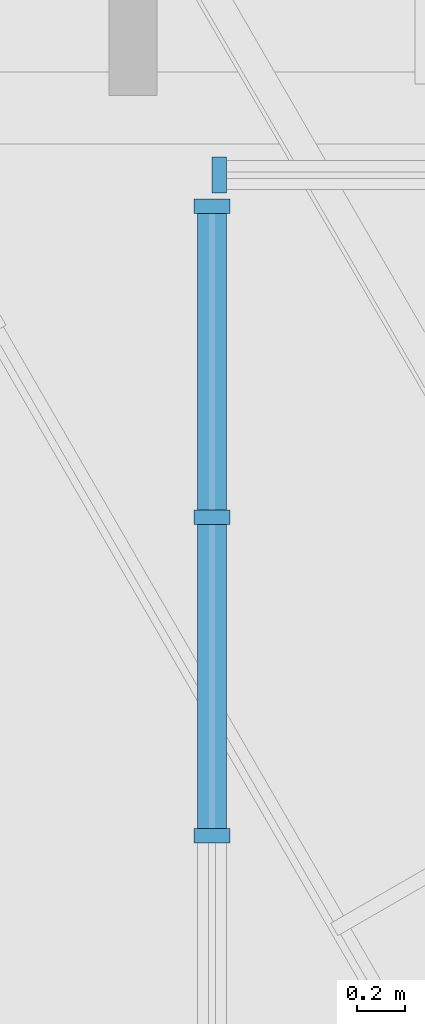
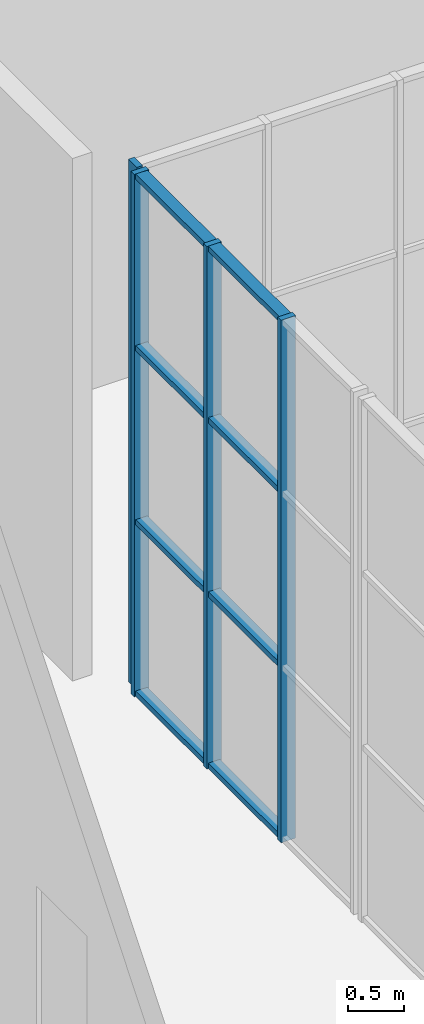
# One storey, part 10 of 36: 12 members, 2 elements without a shape of their own.
"""IFC4 building model written with IfcOpenShell, lengths in metres."""

from ifc_helpers import new_model, si_unit, direction, frame, origin, origin_2d, place, context, subcontext, project, spatial, rectangle, extrude, material, layer, layer_set, material_profile, profile_set, type_object, element, aggregate, save


model = new_model("IFC4")

# Units and contexts
model_context = context("Model", 3, precision=1e-05, world=origin(), true_north=direction((0.0, 1.0)))
body_context = subcontext(model_context, "Body", "Model", "MODEL_VIEW")
ifc_project = project(units=[si_unit("LENGTHUNIT", "METRE"), si_unit("AREAUNIT", "SQUARE_METRE"), si_unit("VOLUMEUNIT", "CUBIC_METRE"), si_unit("PLANEANGLEUNIT", "RADIAN"), si_unit("MASSUNIT", "GRAM", prefix="KILO")], contexts=[model_context])

# Site, building, storey
site_placement = place(None, origin())
site = spatial("IfcSite", under=ifc_project, at=site_placement, CompositionType="ELEMENT")
building_placement = place(site_placement, origin())
building = spatial("IfcBuilding", under=site, at=building_placement, Name="Njiva Tower", CompositionType="ELEMENT")
storey_placement = place(building_placement, frame((0.0, 0.0, 337.8)))
storey = spatial("IfcBuildingStorey", under=building, at=storey_placement, Name="L77", CompositionType="ELEMENT", Elevation=337.8)

# Curtain wall, member
ifc_material_1 = material(Name="Glazed curtain wall", Category="glass")
ifc_layer = layer(ifc_material_1, 0.2)
ifc_layer_set = layer_set([ifc_layer], Name="Glazed curtain wall")
curtain_wall_type = type_object("IfcCurtainWallType", Name="CW5 Atrium lantern glazing", PredefinedType="NOTDEFINED", material=ifc_layer_set)
curtain_wall_1_placement = place(storey_placement, origin())
curtain_wall_1 = element("IfcCurtainWall", 1, at=curtain_wall_1_placement, inside=storey, type_object=curtain_wall_type, Name="Atrium lantern north 1", PredefinedType="NOTDEFINED")
ifc_material_2 = material(Name="Aluminium mullion", Category="aluminium")
ifc_material_profile_1 = material_profile(ifc_material_2, rectangle(XDim=0.15, YDim=0.06, at=origin_2d()), Name="RECT 150x60")
ifc_profile_set_1 = profile_set([ifc_material_profile_1], Name="Aluminium mullion")
member_type_1 = type_object("IfcMemberType", Name="CW5-M Lantern mullion 150x60", PredefinedType="MULLION", material=ifc_profile_set_1)
member_1_placement = place(storey_placement, frame((-4.09, -3.48, 0.0), z_axis=(0.0, 0.0, 1.0), x_axis=(0.0, 1.0, 0.0)))
member_1 = element("IfcMember", 2, at=member_1_placement, type_object=member_type_1, Name="CW5-3 mullion 1", PredefinedType="MULLION", context=body_context, shape_type="SweptSolid", body=[
    extrude(rectangle(XDim=0.15, YDim=0.06, at=origin_2d()), origin(), (0.0, 0.0, 1.0), 5.7),
])
aggregate(curtain_wall_1, [member_1])

# Curtain wall, members
curtain_wall_2_placement = place(storey_placement, origin())
curtain_wall_2 = element("IfcCurtainWall", 3, at=curtain_wall_2_placement, inside=storey, type_object=curtain_wall_type, Name="Atrium lantern west 2", PredefinedType="NOTDEFINED")
member_2_placement = place(storey_placement, frame((-4.12, -6.2333, 0.0), z_axis=(0.0, 0.0, 1.0), x_axis=(-1.0, 0.0, 0.0)))
member_2 = element("IfcMember", 4, at=member_2_placement, type_object=member_type_1, Name="CW5-6 mullion 2", PredefinedType="MULLION", context=body_context, shape_type="SweptSolid", body=[
    extrude(rectangle(XDim=0.15, YDim=0.06, at=origin_2d()), origin(), (0.0, 0.0, 1.0), 5.7),
])
member_3_placement = place(storey_placement, frame((-4.12, -4.9067, 0.0), z_axis=(0.0, 0.0, 1.0), x_axis=(-1.0, 0.0, 0.0)))
member_3 = element("IfcMember", 5, at=member_3_placement, type_object=member_type_1, Name="CW5-6 mullion 3", PredefinedType="MULLION", context=body_context, shape_type="SweptSolid", body=[
    extrude(rectangle(XDim=0.15, YDim=0.06, at=origin_2d()), origin(), (0.0, 0.0, 1.0), 5.7),
])
member_4_placement = place(storey_placement, frame((-4.12, -3.61, 0.0), z_axis=(0.0, 0.0, 1.0), x_axis=(-1.0, 0.0, 0.0)))
member_4 = element("IfcMember", 6, at=member_4_placement, type_object=member_type_1, Name="CW5-6 mullion 4", PredefinedType="MULLION", context=body_context, shape_type="SweptSolid", body=[
    extrude(rectangle(XDim=0.15, YDim=0.06, at=origin_2d()), origin(), (0.0, 0.0, 1.0), 5.7),
])
ifc_material_3 = material(Name="Aluminium transom", Category="aluminium")
ifc_material_profile_2 = material_profile(ifc_material_3, rectangle(XDim=0.12, YDim=0.06, at=origin_2d()), Name="RECT 120x60")
ifc_profile_set_2 = profile_set([ifc_material_profile_2], Name="Aluminium transom")
member_type_2 = type_object("IfcMemberType", Name="CW5-T Lantern transom 120x60", PredefinedType="USERDEFINED", material=ifc_profile_set_2)
member_5_placement = place(storey_placement, frame((-4.12, -6.2033, 0.03), z_axis=(0.0, 1.0, 0.0), x_axis=(-1.0, 0.0, 0.0)))
member_5 = element("IfcMember", 7, at=member_5_placement, type_object=member_type_2, Name="CW5-6 transom 2.1", ObjectType="TRANSOM", PredefinedType="USERDEFINED", context=body_context, shape_type="SweptSolid", body=[
    extrude(rectangle(XDim=0.12, YDim=0.06, at=origin_2d()), origin(), (0.0, 0.0, 1.0), 1.2666),
])
member_6_placement = place(storey_placement, frame((-4.12, -6.2033, 1.9), z_axis=(0.0, 1.0, 0.0), x_axis=(-1.0, 0.0, 0.0)))
member_6 = element("IfcMember", 8, at=member_6_placement, type_object=member_type_2, Name="CW5-6 transom 2.2", ObjectType="TRANSOM", PredefinedType="USERDEFINED", context=body_context, shape_type="SweptSolid", body=[
    extrude(rectangle(XDim=0.12, YDim=0.06, at=origin_2d()), origin(), (0.0, 0.0, 1.0), 1.2666),
])
member_7_placement = place(storey_placement, frame((-4.12, -6.2033, 3.8), z_axis=(0.0, 1.0, 0.0), x_axis=(-1.0, 0.0, 0.0)))
member_7 = element("IfcMember", 9, at=member_7_placement, type_object=member_type_2, Name="CW5-6 transom 2.3", ObjectType="TRANSOM", PredefinedType="USERDEFINED", context=body_context, shape_type="SweptSolid", body=[
    extrude(rectangle(XDim=0.12, YDim=0.06, at=origin_2d()), origin(), (0.0, 0.0, 1.0), 1.2666),
])
member_8_placement = place(storey_placement, frame((-4.12, -6.2033, 5.67), z_axis=(0.0, 1.0, 0.0), x_axis=(-1.0, 0.0, 0.0)))
member_8 = element("IfcMember", 10, at=member_8_placement, type_object=member_type_2, Name="CW5-6 transom 2.4", ObjectType="TRANSOM", PredefinedType="USERDEFINED", context=body_context, shape_type="SweptSolid", body=[
    extrude(rectangle(XDim=0.12, YDim=0.06, at=origin_2d()), origin(), (0.0, 0.0, 1.0), 1.2666),
])
member_9_placement = place(storey_placement, frame((-4.12, -4.8767, 0.03), z_axis=(0.0, 1.0, 0.0), x_axis=(-1.0, 0.0, 0.0)))
member_9 = element("IfcMember", 11, at=member_9_placement, type_object=member_type_2, Name="CW5-6 transom 3.1", ObjectType="TRANSOM", PredefinedType="USERDEFINED", context=body_context, shape_type="SweptSolid", body=[
    extrude(rectangle(XDim=0.12, YDim=0.06, at=origin_2d()), origin(), (0.0, 0.0, 1.0), 1.2367),
])
member_10_placement = place(storey_placement, frame((-4.12, -4.8767, 1.9), z_axis=(0.0, 1.0, 0.0), x_axis=(-1.0, 0.0, 0.0)))
member_10 = element("IfcMember", 12, at=member_10_placement, type_object=member_type_2, Name="CW5-6 transom 3.2", ObjectType="TRANSOM", PredefinedType="USERDEFINED", context=body_context, shape_type="SweptSolid", body=[
    extrude(rectangle(XDim=0.12, YDim=0.06, at=origin_2d()), origin(), (0.0, 0.0, 1.0), 1.2367),
])
member_11_placement = place(storey_placement, frame((-4.12, -4.8767, 3.8), z_axis=(0.0, 1.0, 0.0), x_axis=(-1.0, 0.0, 0.0)))
member_11 = element("IfcMember", 13, at=member_11_placement, type_object=member_type_2, Name="CW5-6 transom 3.3", ObjectType="TRANSOM", PredefinedType="USERDEFINED", context=body_context, shape_type="SweptSolid", body=[
    extrude(rectangle(XDim=0.12, YDim=0.06, at=origin_2d()), origin(), (0.0, 0.0, 1.0), 1.2367),
])
member_12_placement = place(storey_placement, frame((-4.12, -4.8767, 5.67), z_axis=(0.0, 1.0, 0.0), x_axis=(-1.0, 0.0, 0.0)))
member_12 = element("IfcMember", 14, at=member_12_placement, type_object=member_type_2, Name="CW5-6 transom 3.4", ObjectType="TRANSOM", PredefinedType="USERDEFINED", context=body_context, shape_type="SweptSolid", body=[
    extrude(rectangle(XDim=0.12, YDim=0.06, at=origin_2d()), origin(), (0.0, 0.0, 1.0), 1.2367),
])
aggregate(curtain_wall_2, [member_2, member_3, member_4, member_5, member_6, member_7, member_8, member_9, member_10, member_11, member_12])

save(model, "model.ifc")
